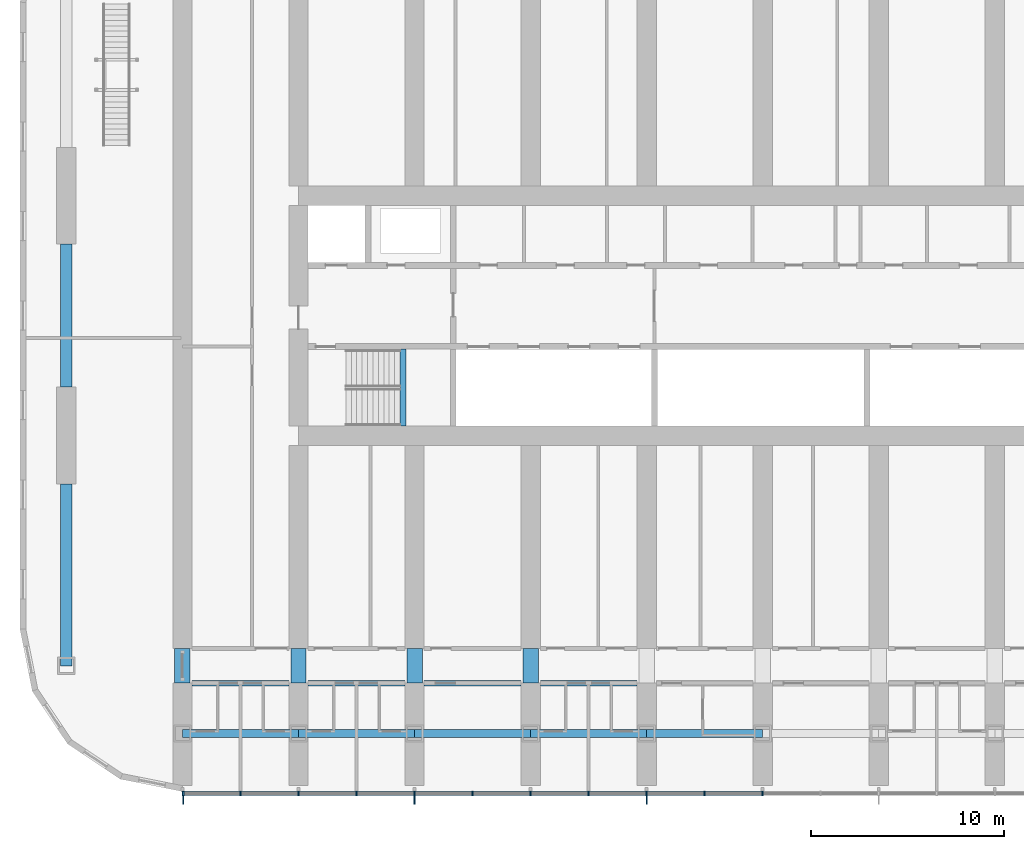
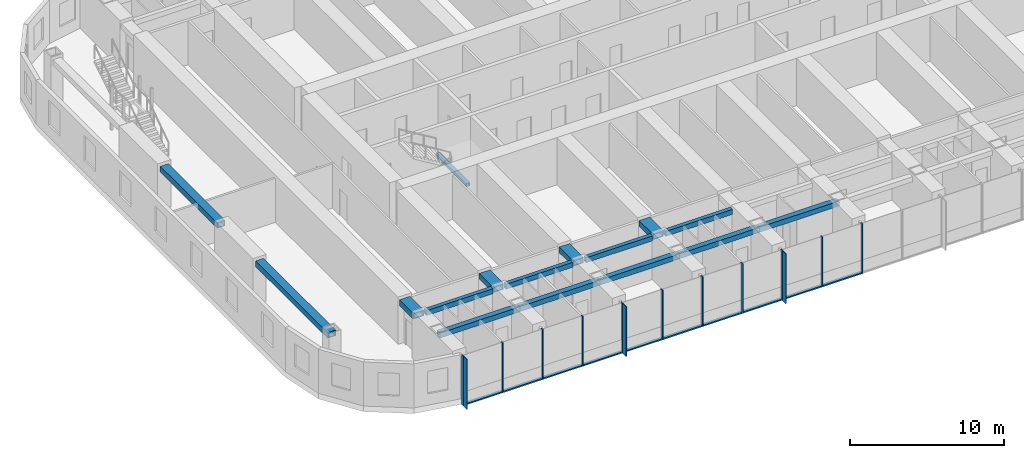
# One storey, part 4 of 28: 24 members, 16 beams, 1 element without a shape of its own.
"""IFC4 building model written with IfcOpenShell, lengths in metres."""

from ifc_helpers import new_model, si_unit, direction, frame, origin, origin_2d, place, context, subcontext, project, spatial, rectangle, hollow_rectangle, extrude, material, material_profile, profile_set, type_object, element, aggregate, save


model = new_model("IFC4")

# Units and contexts
model_context = context("Model", 3, precision=1e-05, world=origin(), true_north=direction((0.0, 1.0)))
body_context = subcontext(model_context, "Body", "Model", "MODEL_VIEW")
ifc_project = project(units=[si_unit("LENGTHUNIT", "METRE"), si_unit("AREAUNIT", "SQUARE_METRE"), si_unit("VOLUMEUNIT", "CUBIC_METRE"), si_unit("PLANEANGLEUNIT", "RADIAN"), si_unit("MASSUNIT", "GRAM", prefix="KILO")], contexts=[model_context])

# Site, building, storey
site_placement = place(None, origin())
site = spatial("IfcSite", under=ifc_project, at=site_placement, CompositionType="ELEMENT")
building_placement = place(site_placement, origin())
building = spatial("IfcBuilding", under=site, at=building_placement, Name="Orbita Commons", CompositionType="ELEMENT")
storey_placement = place(building_placement, frame((0.0, 0.0, 23.949951171875)))
storey = spatial("IfcBuildingStorey", under=building, at=storey_placement, Name="L05", CompositionType="ELEMENT", Elevation=23.949951171875)

# Curtain wall, members
ifc_material_1 = material(Name="Anodised aluminium frame, pale silver", Category="aluminium")
curtain_wall_type = type_object("IfcCurtainWallType", Name="Unitised curtain wall CW-T, vision and spandrel", PredefinedType="NOTDEFINED", material=ifc_material_1)
curtain_wall_placement = place(storey_placement, origin())
curtain_wall = element("IfcCurtainWall", 1, at=curtain_wall_placement, inside=storey, type_object=curtain_wall_type, Name="Curtain wall south L05", PredefinedType="NOTDEFINED")
ifc_material_2 = material(Name="Anodised aluminium, pale silver", Category="aluminium")
ifc_material_profile_1 = material_profile(ifc_material_2, rectangle(XDim=0.080078125, YDim=0.219970703125, at=origin_2d()), Name="AL 80x220")
ifc_profile_set_1 = profile_set([ifc_material_profile_1], Name="Anodised aluminium, pale silver")
member_type_1 = type_object("IfcMemberType", Name="Curtain wall mullion 80x220", PredefinedType="MULLION", material=ifc_profile_set_1)
member_1_placement = place(storey_placement, frame((12.0400390625, 7.2900390625, -0.449951171875), z_axis=(0.0, 0.0, 1.0), x_axis=(1.0, 0.0, 0.0)))
member_1 = element("IfcMember", 2, at=member_1_placement, type_object=member_type_1, Name="Mullion 1 CW-L05-S", PredefinedType="MULLION", context=body_context, shape_type="SweptSolid", body=[
    extrude(rectangle(XDim=0.080078125, YDim=0.219970703125, at=origin_2d()), origin(), (0.0, 0.0, 1.0), 3.949951171875),
])
member_2_placement = place(storey_placement, frame((15.0, 7.2900390625, -0.449951171875), z_axis=(0.0, 0.0, 1.0), x_axis=(1.0, 0.0, 0.0)))
member_2 = element("IfcMember", 3, at=member_2_placement, type_object=member_type_1, Name="Mullion 2 CW-L05-S", PredefinedType="MULLION", context=body_context, shape_type="SweptSolid", body=[
    extrude(rectangle(XDim=0.080078125, YDim=0.219970703125, at=origin_2d()), origin(), (0.0, 0.0, 1.0), 3.949951171875),
])
member_3_placement = place(storey_placement, frame((18.0, 7.2900390625, -0.449951171875), z_axis=(0.0, 0.0, 1.0), x_axis=(1.0, 0.0, 0.0)))
member_3 = element("IfcMember", 4, at=member_3_placement, type_object=member_type_1, Name="Mullion 3 CW-L05-S", PredefinedType="MULLION", context=body_context, shape_type="SweptSolid", body=[
    extrude(rectangle(XDim=0.080078125, YDim=0.219970703125, at=origin_2d()), origin(), (0.0, 0.0, 1.0), 3.949951171875),
])
member_4_placement = place(storey_placement, frame((21.0, 7.2900390625, -0.449951171875), z_axis=(0.0, 0.0, 1.0), x_axis=(1.0, 0.0, 0.0)))
member_4 = element("IfcMember", 5, at=member_4_placement, type_object=member_type_1, Name="Mullion 4 CW-L05-S", PredefinedType="MULLION", context=body_context, shape_type="SweptSolid", body=[
    extrude(rectangle(XDim=0.080078125, YDim=0.219970703125, at=origin_2d()), origin(), (0.0, 0.0, 1.0), 3.949951171875),
])
member_5_placement = place(storey_placement, frame((24.0, 7.2900390625, -0.449951171875), z_axis=(0.0, 0.0, 1.0), x_axis=(1.0, 0.0, 0.0)))
member_5 = element("IfcMember", 6, at=member_5_placement, type_object=member_type_1, Name="Mullion 5 CW-L05-S", PredefinedType="MULLION", context=body_context, shape_type="SweptSolid", body=[
    extrude(rectangle(XDim=0.080078125, YDim=0.219970703125, at=origin_2d()), origin(), (0.0, 0.0, 1.0), 3.949951171875),
])
member_6_placement = place(storey_placement, frame((27.0, 7.2900390625, -0.449951171875), z_axis=(0.0, 0.0, 1.0), x_axis=(1.0, 0.0, 0.0)))
member_6 = element("IfcMember", 7, at=member_6_placement, type_object=member_type_1, Name="Mullion 6 CW-L05-S", PredefinedType="MULLION", context=body_context, shape_type="SweptSolid", body=[
    extrude(rectangle(XDim=0.080078125, YDim=0.219970703125, at=origin_2d()), origin(), (0.0, 0.0, 1.0), 3.949951171875),
])
member_7_placement = place(storey_placement, frame((30.0, 7.2900390625, -0.449951171875), z_axis=(0.0, 0.0, 1.0), x_axis=(1.0, 0.0, 0.0)))
member_7 = element("IfcMember", 8, at=member_7_placement, type_object=member_type_1, Name="Mullion 7 CW-L05-S", PredefinedType="MULLION", context=body_context, shape_type="SweptSolid", body=[
    extrude(rectangle(XDim=0.080078125, YDim=0.219970703125, at=origin_2d()), origin(), (0.0, 0.0, 1.0), 3.949951171875),
])
member_8_placement = place(storey_placement, frame((33.0, 7.2900390625, -0.449951171875), z_axis=(0.0, 0.0, 1.0), x_axis=(1.0, 0.0, 0.0)))
member_8 = element("IfcMember", 9, at=member_8_placement, type_object=member_type_1, Name="Mullion 8 CW-L05-S", PredefinedType="MULLION", context=body_context, shape_type="SweptSolid", body=[
    extrude(rectangle(XDim=0.080078125, YDim=0.219970703125, at=origin_2d()), origin(), (0.0, 0.0, 1.0), 3.949951171875),
])
member_9_placement = place(storey_placement, frame((36.0, 7.2900390625, -0.449951171875), z_axis=(0.0, 0.0, 1.0), x_axis=(1.0, 0.0, 0.0)))
member_9 = element("IfcMember", 10, at=member_9_placement, type_object=member_type_1, Name="Mullion 9 CW-L05-S", PredefinedType="MULLION", context=body_context, shape_type="SweptSolid", body=[
    extrude(rectangle(XDim=0.080078125, YDim=0.219970703125, at=origin_2d()), origin(), (0.0, 0.0, 1.0), 3.949951171875),
])
member_10_placement = place(storey_placement, frame((39.0, 7.2900390625, -0.449951171875), z_axis=(0.0, 0.0, 1.0), x_axis=(1.0, 0.0, 0.0)))
member_10 = element("IfcMember", 11, at=member_10_placement, type_object=member_type_1, Name="Mullion 10 CW-L05-S", PredefinedType="MULLION", context=body_context, shape_type="SweptSolid", body=[
    extrude(rectangle(XDim=0.080078125, YDim=0.219970703125, at=origin_2d()), origin(), (0.0, 0.0, 1.0), 3.949951171875),
])
member_11_placement = place(storey_placement, frame((42.0, 7.2900390625, -0.449951171875), z_axis=(0.0, 0.0, 1.0), x_axis=(1.0, 0.0, 0.0)))
member_11 = element("IfcMember", 12, at=member_11_placement, type_object=member_type_1, Name="Mullion 11 CW-L05-S", PredefinedType="MULLION", context=body_context, shape_type="SweptSolid", body=[
    extrude(rectangle(XDim=0.080078125, YDim=0.219970703125, at=origin_2d()), origin(), (0.0, 0.0, 1.0), 3.949951171875),
])
ifc_material_3 = material(Name="Anodised aluminium, pale silver", Category="aluminium")
ifc_material_profile_2 = material_profile(ifc_material_3, rectangle(XDim=0.219970703125, YDim=0.10009765625, at=origin_2d()), Name="AL 220x100")
ifc_profile_set_2 = profile_set([ifc_material_profile_2], Name="Anodised aluminium, pale silver")
member_type_2 = type_object("IfcMemberType", Name="Curtain wall stack transom 220x100", PredefinedType="USERDEFINED", material=ifc_profile_set_2)
member_12_placement = place(storey_placement, frame((12.080078125, 7.2900390625, -0.39990234375), z_axis=(1.0, 0.0, 0.0), x_axis=(0.0, 1.0, 0.0)))
member_12 = element("IfcMember", 13, at=member_12_placement, type_object=member_type_2, Name="Transom 1.1 CW-L05-S", ObjectType="TRANSOM", PredefinedType="USERDEFINED", context=body_context, shape_type="SweptSolid", body=[
    extrude(rectangle(XDim=0.219970703125, YDim=0.10009765625, at=origin_2d()), origin(), (0.0, 0.0, 1.0), 2.8798828125),
])
member_13_placement = place(storey_placement, frame((15.0400390625, 7.2900390625, -0.39990234375), z_axis=(1.0, 0.0, 0.0), x_axis=(0.0, 1.0, 0.0)))
member_13 = element("IfcMember", 14, at=member_13_placement, type_object=member_type_2, Name="Transom 2.1 CW-L05-S", ObjectType="TRANSOM", PredefinedType="USERDEFINED", context=body_context, shape_type="SweptSolid", body=[
    extrude(rectangle(XDim=0.219970703125, YDim=0.10009765625, at=origin_2d()), origin(), (0.0, 0.0, 1.0), 2.919921875),
])
member_14_placement = place(storey_placement, frame((18.0400390625, 7.2900390625, -0.39990234375), z_axis=(1.0, 0.0, 0.0), x_axis=(0.0, 1.0, 0.0)))
member_14 = element("IfcMember", 15, at=member_14_placement, type_object=member_type_2, Name="Transom 3.1 CW-L05-S", ObjectType="TRANSOM", PredefinedType="USERDEFINED", context=body_context, shape_type="SweptSolid", body=[
    extrude(rectangle(XDim=0.219970703125, YDim=0.10009765625, at=origin_2d()), origin(), (0.0, 0.0, 1.0), 2.919921875),
])
member_15_placement = place(storey_placement, frame((21.0400390625, 7.2900390625, -0.39990234375), z_axis=(1.0, 0.0, 0.0), x_axis=(0.0, 1.0, 0.0)))
member_15 = element("IfcMember", 16, at=member_15_placement, type_object=member_type_2, Name="Transom 4.1 CW-L05-S", ObjectType="TRANSOM", PredefinedType="USERDEFINED", context=body_context, shape_type="SweptSolid", body=[
    extrude(rectangle(XDim=0.219970703125, YDim=0.10009765625, at=origin_2d()), origin(), (0.0, 0.0, 1.0), 2.919921875),
])
member_16_placement = place(storey_placement, frame((24.0400390625, 7.2900390625, -0.39990234375), z_axis=(1.0, 0.0, 0.0), x_axis=(0.0, 1.0, 0.0)))
member_16 = element("IfcMember", 17, at=member_16_placement, type_object=member_type_2, Name="Transom 5.1 CW-L05-S", ObjectType="TRANSOM", PredefinedType="USERDEFINED", context=body_context, shape_type="SweptSolid", body=[
    extrude(rectangle(XDim=0.219970703125, YDim=0.10009765625, at=origin_2d()), origin(), (0.0, 0.0, 1.0), 2.919921875),
])
member_17_placement = place(storey_placement, frame((27.0400390625, 7.2900390625, -0.39990234375), z_axis=(1.0, 0.0, 0.0), x_axis=(0.0, 1.0, 0.0)))
member_17 = element("IfcMember", 18, at=member_17_placement, type_object=member_type_2, Name="Transom 6.1 CW-L05-S", ObjectType="TRANSOM", PredefinedType="USERDEFINED", context=body_context, shape_type="SweptSolid", body=[
    extrude(rectangle(XDim=0.219970703125, YDim=0.10009765625, at=origin_2d()), origin(), (0.0, 0.0, 1.0), 2.919921875),
])
member_18_placement = place(storey_placement, frame((30.0400390625, 7.2900390625, -0.39990234375), z_axis=(1.0, 0.0, 0.0), x_axis=(0.0, 1.0, 0.0)))
member_18 = element("IfcMember", 19, at=member_18_placement, type_object=member_type_2, Name="Transom 7.1 CW-L05-S", ObjectType="TRANSOM", PredefinedType="USERDEFINED", context=body_context, shape_type="SweptSolid", body=[
    extrude(rectangle(XDim=0.219970703125, YDim=0.10009765625, at=origin_2d()), origin(), (0.0, 0.0, 1.0), 2.919921875),
])
member_19_placement = place(storey_placement, frame((33.0400390625, 7.2900390625, -0.39990234375), z_axis=(1.0, 0.0, 0.0), x_axis=(0.0, 1.0, 0.0)))
member_19 = element("IfcMember", 20, at=member_19_placement, type_object=member_type_2, Name="Transom 8.1 CW-L05-S", ObjectType="TRANSOM", PredefinedType="USERDEFINED", context=body_context, shape_type="SweptSolid", body=[
    extrude(rectangle(XDim=0.219970703125, YDim=0.10009765625, at=origin_2d()), origin(), (0.0, 0.0, 1.0), 2.919921875),
])
member_20_placement = place(storey_placement, frame((36.0400390625, 7.2900390625, -0.39990234375), z_axis=(1.0, 0.0, 0.0), x_axis=(0.0, 1.0, 0.0)))
member_20 = element("IfcMember", 21, at=member_20_placement, type_object=member_type_2, Name="Transom 9.1 CW-L05-S", ObjectType="TRANSOM", PredefinedType="USERDEFINED", context=body_context, shape_type="SweptSolid", body=[
    extrude(rectangle(XDim=0.219970703125, YDim=0.10009765625, at=origin_2d()), origin(), (0.0, 0.0, 1.0), 2.919921875),
])
member_21_placement = place(storey_placement, frame((39.0400390625, 7.2900390625, -0.39990234375), z_axis=(1.0, 0.0, 0.0), x_axis=(0.0, 1.0, 0.0)))
member_21 = element("IfcMember", 22, at=member_21_placement, type_object=member_type_2, Name="Transom 10.1 CW-L05-S", ObjectType="TRANSOM", PredefinedType="USERDEFINED", context=body_context, shape_type="SweptSolid", body=[
    extrude(rectangle(XDim=0.219970703125, YDim=0.10009765625, at=origin_2d()), origin(), (0.0, 0.0, 1.0), 2.919921875),
])

# Beams
ifc_material_4 = material(Name="Steel ASTM A572 Gr 50 welded plate", Category="steel")
ifc_material_profile_3 = material_profile(ifc_material_4, hollow_rectangle(XDim=0.300048828125, YDim=0.25, WallThickness=0.02490234375, at=origin_2d()), Name="BOX 250x300x25")
ifc_profile_set_3 = profile_set([ifc_material_profile_3], Name="Steel ASTM A572 Gr 50 welded plate")
beam_type_1 = type_object("IfcBeamType", Name="Stair landing beam steel BOX 250x300x25", PredefinedType="BEAM", material=ifc_profile_set_3)
beam_1_placement = place(storey_placement, frame((23.39990234375, 26.284912109375, 1.550048828125), z_axis=(0.0, 1.0, 0.0), x_axis=(-1.0, 0.0, 0.0)))
element("IfcBeam", 23, at=beam_1_placement, inside=storey, type_object=beam_type_1, Name="Stair S1 landing beam L05 1", PredefinedType="BEAM", context=body_context, shape_type="SweptSolid", body=[
    extrude(hollow_rectangle(XDim=0.300048828125, YDim=0.25, WallThickness=0.02490234375, at=origin_2d()), origin(), (0.0, 0.0, 1.0), 3.97998046875),
])
ifc_material_5 = material(Name="Steel ASTM A572 Gr 50 welded plate", Category="steel")
ifc_material_profile_4 = material_profile(ifc_material_5, hollow_rectangle(XDim=0.300048828125, YDim=0.39990234375, WallThickness=0.0400390625, at=origin_2d()), Name="BOX 400x300x40")
ifc_profile_set_4 = profile_set([ifc_material_profile_4], Name="Steel ASTM A572 Gr 50 welded plate")
beam_type_2 = type_object("IfcBeamType", Name="Steel corridor link BOX 400x300x40", PredefinedType="BEAM", material=ifc_profile_set_4)
for number, where, z_axis, x_axis, name in (
    (24, (12.5, 13.0, 3.300048828125), (1.0, 0.0, 0.0), (0.0, 1.0, 0.0), "Corridor beam SA 3-4 L05"),
    (25, (18.5, 13.0, 3.300048828125), (1.0, 0.0, 0.0), (0.0, 1.0, 0.0), "Corridor beam SA 4-5 L05"),
    (26, (24.5, 13.0, 3.300048828125), (1.0, 0.0, 0.0), (0.0, 1.0, 0.0), "Corridor beam SA 5-6 L05"),
    (27, (30.5, 13.0, 3.300048828125), (1.0, 0.0, 0.0), (0.0, 1.0, 0.0), "Corridor beam SA 6-7 L05"),
):
    element("IfcBeam", number, at=place(storey_placement, frame(where, z_axis=z_axis, x_axis=x_axis)), inside=storey, type_object=beam_type_2, Name=name, PredefinedType="BEAM", context=body_context, shape_type="SweptSolid", body=[
        extrude(hollow_rectangle(XDim=0.300048828125, YDim=0.39990234375, WallThickness=0.0400390625, at=origin_2d()), origin(), (0.0, 0.0, 1.0), 5.0),
    ])
ifc_material_6 = material(Name="Steel ASTM A572 Gr 50 welded plate", Category="steel")
ifc_material_profile_5 = material_profile(ifc_material_6, hollow_rectangle(XDim=0.800048828125, YDim=0.449951171875, WallThickness=0.06005859375, at=origin_2d()), Name="BOX 450x800x60")
ifc_profile_set_5 = profile_set([ifc_material_profile_5], Name="Steel ASTM A572 Gr 50 welded plate")
beam_type_3 = type_object("IfcBeamType", Name="Steel coupling link BOX 450x800x60", PredefinedType="LINTEL", material=ifc_profile_set_5)
for number, where, z_axis, x_axis, name in (
    (28, (12.0, 13.0, 3.275146484375), (0.0, 1.0, 0.0), (-1.0, 0.0, 0.0), "Coupling beam 3 south L05"),
    (29, (18.0, 13.0, 3.275146484375), (0.0, 1.0, 0.0), (-1.0, 0.0, 0.0), "Coupling beam 4 south L05"),
    (30, (24.0, 13.0, 3.275146484375), (0.0, 1.0, 0.0), (-1.0, 0.0, 0.0), "Coupling beam 5 south L05"),
    (31, (30.0, 13.0, 3.275146484375), (0.0, 1.0, 0.0), (-1.0, 0.0, 0.0), "Coupling beam 6 south L05"),
):
    element("IfcBeam", number, at=place(storey_placement, frame(where, z_axis=z_axis, x_axis=x_axis)), inside=storey, type_object=beam_type_3, Name=name, PredefinedType="LINTEL", context=body_context, shape_type="SweptSolid", body=[
        extrude(hollow_rectangle(XDim=0.800048828125, YDim=0.449951171875, WallThickness=0.06005859375, at=origin_2d()), origin(), (0.0, 0.0, 1.0), 1.800048828125),
    ])
ifc_material_7 = material(Name="Steel ASTM A572 Gr 50 welded plate", Category="steel")
ifc_material_profile_6 = material_profile(ifc_material_7, hollow_rectangle(XDim=0.60009765625, YDim=0.449951171875, WallThickness=0.06005859375, at=origin_2d()), Name="BOX 450x600x60")
ifc_profile_set_6 = profile_set([ifc_material_profile_6], Name="Steel ASTM A572 Gr 50 welded plate")
beam_type_4 = type_object("IfcBeamType", Name="Steel end frame link BOX 450x600x60", PredefinedType="BEAM", material=ifc_profile_set_6)
beam_2_placement = place(storey_placement, frame((6.0, 13.89990234375, 3.275146484375), z_axis=(0.0, 1.0, 0.0), x_axis=(-1.0, 0.0, 0.0)))
element("IfcBeam", 32, at=beam_2_placement, inside=storey, type_object=beam_type_4, Name="End frame beam 2 B-C L05", PredefinedType="BEAM", context=body_context, shape_type="SweptSolid", body=[
    extrude(hollow_rectangle(XDim=0.60009765625, YDim=0.449951171875, WallThickness=0.06005859375, at=origin_2d()), origin(), (0.0, 0.0, 1.0), 9.400146484375),
])
beam_3_placement = place(storey_placement, frame((6.0, 28.300048828125, 3.275146484375), z_axis=(0.0, 1.0, 0.0), x_axis=(-1.0, 0.0, 0.0)))
element("IfcBeam", 33, at=beam_3_placement, inside=storey, type_object=beam_type_4, Name="End frame beam 2 C-D L05", PredefinedType="BEAM", context=body_context, shape_type="SweptSolid", body=[
    extrude(hollow_rectangle(XDim=0.60009765625, YDim=0.449951171875, WallThickness=0.06005859375, at=origin_2d()), origin(), (0.0, 0.0, 1.0), 7.39990234375),
])
ifc_material_8 = material(Name="Steel ASTM A572 Gr 50 welded plate", Category="steel")
ifc_material_profile_7 = material_profile(ifc_material_8, hollow_rectangle(XDim=0.39990234375, YDim=0.39990234375, WallThickness=0.0400390625, at=origin_2d()), Name="BOX 400x400x40")
ifc_profile_set_7 = profile_set([ifc_material_profile_7], Name="Steel ASTM A572 Gr 50 welded plate")
beam_type_5 = type_object("IfcBeamType", Name="Steel spandrel BOX 400x400x40", PredefinedType="SPANDREL", material=ifc_profile_set_7)
for number, where, z_axis, x_axis, name in (
    (34, (12.0, 10.39990234375, 3.300048828125), (1.0, 0.0, 0.0), (0.0, 1.0, 0.0), "Spandrel beam B 3-4 L05"),
    (35, (18.0, 10.39990234375, 3.300048828125), (1.0, 0.0, 0.0), (0.0, 1.0, 0.0), "Spandrel beam B 4-5 L05"),
    (36, (24.0, 10.39990234375, 3.300048828125), (1.0, 0.0, 0.0), (0.0, 1.0, 0.0), "Spandrel beam B 5-6 L05"),
    (37, (30.0, 10.39990234375, 3.300048828125), (1.0, 0.0, 0.0), (0.0, 1.0, 0.0), "Spandrel beam B 6-7 L05"),
    (38, (36.0, 10.39990234375, 3.300048828125), (1.0, 0.0, 0.0), (0.0, 1.0, 0.0), "Spandrel beam B 7-8 L05"),
):
    element("IfcBeam", number, at=place(storey_placement, frame(where, z_axis=z_axis, x_axis=x_axis)), inside=storey, type_object=beam_type_5, Name=name, PredefinedType="SPANDREL", context=body_context, shape_type="SweptSolid", body=[
        extrude(hollow_rectangle(XDim=0.39990234375, YDim=0.39990234375, WallThickness=0.0400390625, at=origin_2d()), origin(), (0.0, 0.0, 1.0), 6.0),
    ])

# Member
ifc_material_9 = material(Name="Anodised aluminium, pale silver", Category="aluminium")
ifc_material_profile_8 = material_profile(ifc_material_9, rectangle(XDim=0.06005859375, YDim=0.449951171875, at=origin_2d()), Name="FIN 60x450")
ifc_profile_set_8 = profile_set([ifc_material_profile_8], Name="Anodised aluminium, pale silver")
member_type_3 = type_object("IfcMemberType", Name="Vertical fin 60x450 pale aluminium", PredefinedType="USERDEFINED", material=ifc_profile_set_8)
member_22_placement = place(storey_placement, frame((12.0400390625, 6.955078125, -0.449951171875), z_axis=(0.0, 0.0, 1.0), x_axis=(1.0, 0.0, 0.0)))
member_22 = element("IfcMember", 39, at=member_22_placement, type_object=member_type_3, Name="Fin 1 CW-L05-S", ObjectType="FIN", PredefinedType="USERDEFINED", context=body_context, shape_type="SweptSolid", body=[
    extrude(rectangle(XDim=0.06005859375, YDim=0.449951171875, at=origin_2d()), origin(), (0.0, 0.0, 1.0), 3.949951171875),
])

member_23_placement = place(storey_placement, frame((24.0, 6.955078125, -0.449951171875), z_axis=(0.0, 0.0, 1.0), x_axis=(1.0, 0.0, 0.0)))
member_23 = element("IfcMember", 40, at=member_23_placement, type_object=member_type_3, Name="Fin 5 CW-L05-S", ObjectType="FIN", PredefinedType="USERDEFINED", context=body_context, shape_type="SweptSolid", body=[
    extrude(rectangle(XDim=0.06005859375, YDim=0.449951171875, at=origin_2d()), origin(), (0.0, 0.0, 1.0), 3.949951171875),
])

member_24_placement = place(storey_placement, frame((36.0, 6.955078125, -0.449951171875), z_axis=(0.0, 0.0, 1.0), x_axis=(1.0, 0.0, 0.0)))
member_24 = element("IfcMember", 41, at=member_24_placement, type_object=member_type_3, Name="Fin 9 CW-L05-S", ObjectType="FIN", PredefinedType="USERDEFINED", context=body_context, shape_type="SweptSolid", body=[
    extrude(rectangle(XDim=0.06005859375, YDim=0.449951171875, at=origin_2d()), origin(), (0.0, 0.0, 1.0), 3.949951171875),
])

aggregate(curtain_wall, [member_1, member_22, member_2, member_3, member_4, member_5, member_23, member_6, member_7, member_8, member_9, member_24, member_10, member_11, member_12, member_13, member_14, member_15, member_16, member_17, member_18, member_19, member_20, member_21])

save(model, "model.ifc")
